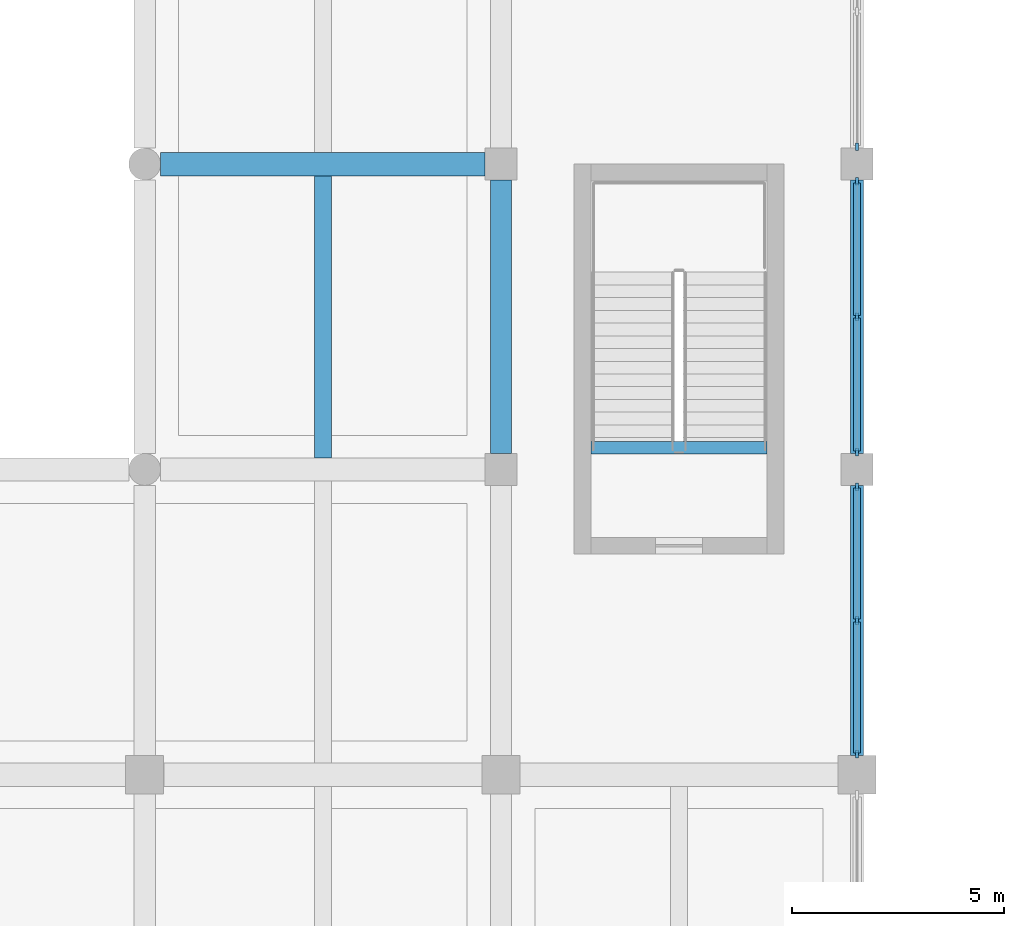
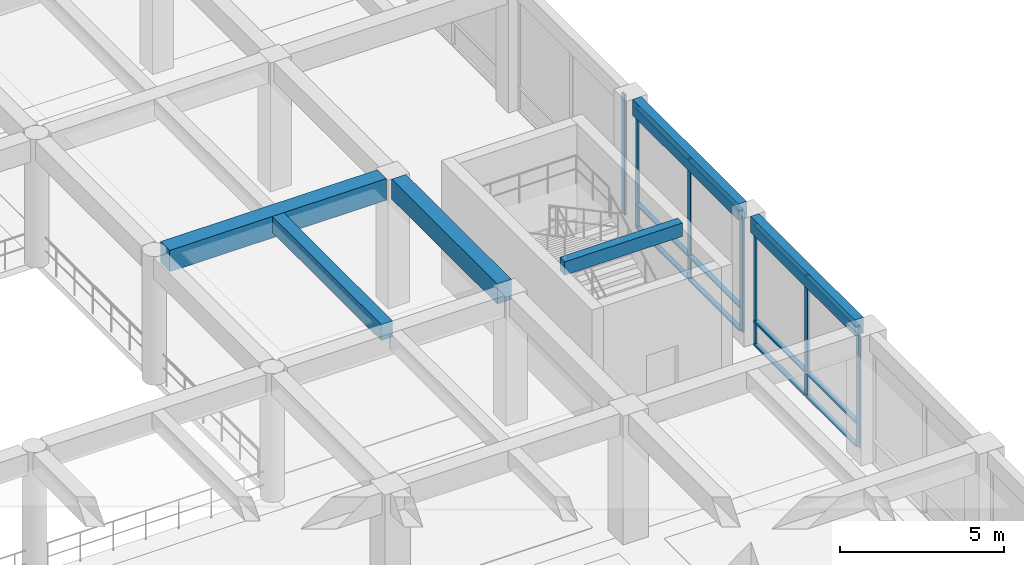
# One storey, part 18 of 52: 19 members, 6 beams, 3 elements without a shape of their own.
"""IFC4 building model written with IfcOpenShell, lengths in metres."""

import ifcopenshell
import ifcopenshell.guid

model = None  # the IFC model being written
_history = None  # IfcOwnerHistory: only IFC2X3 demands one
_inside = {}  # id of a spatial element -> (the spatial element, [elements in it])
_under = {}  # id of a project, library or spatial element -> (it, [spatial elements below it])
_declared = {}  # id of a project -> (the project, [libraries it declares])
_typed = {}  # id of a type object -> (the type object, [elements of that type])
_made_of = {}  # id of a material, layer set ... -> (it, [elements and type objects made of it])


def new_model(schema):
    """Start an empty IFC model of exactly this schema.

    Asked for "IFC4X3", IfcOpenShell would pick the latest addendum, in which some entities
    have other attributes; the version numbers below select the first issue.
    IFC2X3 requires an IfcOwnerHistory on every rooted entity: one is made here for all.
    """
    global model, _history
    if schema == "IFC4X3":
        model = ifcopenshell.file(schema_version=(4, 3, 0, 0))
    else:
        model = ifcopenshell.file(schema=schema)
    _inside.clear()
    _under.clear()
    _declared.clear()
    _typed.clear()
    _made_of.clear()
    _history = None
    if model.schema == "IFC2X3":
        org = make("IfcOrganization", Name="unknown")
        user = make(
            "IfcPersonAndOrganization",
            ThePerson=make("IfcPerson", FamilyName="unknown"),
            TheOrganization=org,
        )
        app = make(
            "IfcApplication",
            ApplicationDeveloper=org,
            Version="unknown",
            ApplicationFullName="unknown",
            ApplicationIdentifier="unknown",
        )
        _history = make(
            "IfcOwnerHistory",
            OwningUser=user,
            OwningApplication=app,
            ChangeAction="ADDED",
            CreationDate=0,
        )
    return model


def make(cls, **values):
    """One entity of the class cls with the attributes given. An attribute that is None is left unset."""
    return model.create_entity(
        cls, **{name: value for name, value in values.items() if value is not None}
    )


def rooted(cls, **values):
    """An entity with a GlobalId (a new one), such as an element, a storey or a relation."""
    return make(cls, GlobalId=ifcopenshell.guid.new(), OwnerHistory=_history, **values)


def si_unit(unit_type, name, prefix=None):
    """IfcSIUnit, for example si_unit("LENGTHUNIT", "METRE", prefix="MILLI")."""
    return make("IfcSIUnit", UnitType=unit_type, Prefix=prefix, Name=name)


def assignment(units):
    """IfcUnitAssignment: the units of a project."""
    return None if units is None else make("IfcUnitAssignment", Units=units)


def point(xyz):
    """IfcCartesianPoint."""
    return None if xyz is None else make("IfcCartesianPoint", Coordinates=xyz)


def direction(xyz):
    """IfcDirection."""
    return None if xyz is None else make("IfcDirection", DirectionRatios=xyz)


def frame(location, z_axis=None, x_axis=None):
    """IfcAxis2Placement3D, a coordinate frame: its origin and axes. An axis left out is left unset."""
    return make(
        "IfcAxis2Placement3D",
        Location=point(location),
        Axis=direction(z_axis),
        RefDirection=direction(x_axis),
    )


def frame_2d(location, x_axis=None):
    """IfcAxis2Placement2D, a coordinate frame in the plane: its origin and x axis."""
    return make(
        "IfcAxis2Placement2D", Location=point(location), RefDirection=direction(x_axis)
    )


def origin():
    """The frame at (0, 0, 0) with its axes left unset."""
    return frame((0.0, 0.0, 0.0))


def origin_2d():
    """The frame at (0, 0) in the plane with its x axis left unset."""
    return frame_2d((0.0, 0.0))


def place(relative_to, where):
    """IfcLocalPlacement: puts the frame where relative to a parent placement (None: the world)."""
    return make(
        "IfcLocalPlacement", PlacementRelTo=relative_to, RelativePlacement=where
    )


def context(
    kind, dimensions, precision=None, world=None, true_north=None, identifier=None
):
    """IfcGeometricRepresentationContext, for example the 3D "Model" context."""
    return make(
        "IfcGeometricRepresentationContext",
        ContextIdentifier=identifier,
        ContextType=kind,
        CoordinateSpaceDimension=dimensions,
        Precision=precision,
        WorldCoordinateSystem=world,
        TrueNorth=true_north,
    )


def subcontext(parent, identifier, kind, view, scale=None):
    """IfcGeometricRepresentationSubContext, for example "Body" below "Model"."""
    return make(
        "IfcGeometricRepresentationSubContext",
        ContextIdentifier=identifier,
        ContextType=kind,
        ParentContext=parent,
        TargetScale=scale,
        TargetView=view,
    )


def project(units=None, contexts=None):
    """IfcProject with its units and contexts."""
    return rooted(
        "IfcProject",
        Name="project",
        RepresentationContexts=contexts,
        UnitsInContext=assignment(units),
    )


def spatial(cls, under=None, at=None, **own):
    """A site, building, storey or space (cls), placed at a placement, below another one or the project."""
    s = rooted(cls, ObjectPlacement=at, **own)
    if under is not None:
        _under.setdefault(under.id(), (under, []))[1].append(s)
    return s


def profile(cls, at=None, kind="AREA", **sizes):
    """A parametric profile (cls). Its sizes go by their IFC names, for example OverallWidth=200.0."""
    return make(cls, ProfileType=kind, Position=at, **sizes)


def rectangle(**sizes):
    """IfcRectangleProfileDef."""
    return profile("IfcRectangleProfileDef", **sizes)


def extrude(swept, where, along, depth):
    """IfcExtrudedAreaSolid: the profile swept, set in the frame where, extruded along a direction by depth."""
    return make(
        "IfcExtrudedAreaSolid",
        SweptArea=swept,
        Position=where,
        ExtrudedDirection=direction(along),
        Depth=depth,
    )


def shape(context_of_items, identifier, shape_type, items):
    """IfcShapeRepresentation: the items that make up one representation, for example the "Body"."""
    return make(
        "IfcShapeRepresentation",
        ContextOfItems=context_of_items,
        RepresentationIdentifier=identifier,
        RepresentationType=shape_type,
        Items=items,
    )


def material(Name=None, Category=None):
    """IfcMaterial."""
    return make("IfcMaterial", Name=Name, Category=Category)


def material_profile(
    of_material, cross_section, Name=None, Category=None, Priority=None
):
    """IfcMaterialProfile: a cross section and its material."""
    return make(
        "IfcMaterialProfile",
        Name=Name,
        Material=of_material,
        Profile=cross_section,
        Priority=Priority,
        Category=Category,
    )


def profile_set(profiles, Name=None, composite=None):
    """IfcMaterialProfileSet."""
    return make(
        "IfcMaterialProfileSet",
        Name=Name,
        MaterialProfiles=profiles,
        CompositeProfile=composite,
    )


def made_of(thing, what):
    """Note that an element or type object is made of a material, layer set ...; save() writes the relation."""
    if what is not None:
        _made_of.setdefault(what.id(), (what, []))[1].append(thing)
    return thing


def type_object(cls, material=None, **own):
    """A type object (cls), such as IfcWallType, which elements share."""
    return made_of(rooted(cls, **own), material)


def element(
    cls,
    number,
    at=None,
    inside=None,
    cuts=None,
    type_object=None,
    material=None,
    context=None,
    identifier="Body",
    shape_type=None,
    held_by="IfcProductDefinitionShape",
    body=None,
    shapes=None,
    **own,
):
    """One element of the class cls, such as IfcWall. Its Tag is "e" and its number.

    at: its placement. inside: the storey or other place that contains it. cuts: it is an
    opening in that element (IfcRelVoidsElement). A single representation is given by context,
    identifier, shape_type and body (its items); several are given by shapes. held_by: the class
    of the entity that holds the representations. save() writes the other relations.
    """
    e = rooted(cls, Tag="e%d" % number, ObjectPlacement=at, **own)
    if body is not None:
        shapes = [shape(context, identifier, shape_type, body)]
    if shapes is not None:
        e.Representation = make(held_by, Representations=shapes)
    if inside is not None:
        _inside.setdefault(inside.id(), (inside, []))[1].append(e)
    if cuts is not None:
        rooted(
            "IfcRelVoidsElement", RelatingBuildingElement=cuts, RelatedOpeningElement=e
        )
    if type_object is not None:
        _typed.setdefault(type_object.id(), (type_object, []))[1].append(e)
    return made_of(e, material)


def aggregate(whole, parts):
    """IfcRelAggregates: a whole, such as a stair, and the parts it consists of."""
    return rooted("IfcRelAggregates", RelatingObject=whole, RelatedObjects=parts)


def save(model, path):
    """Write the relations noted so far, then the file.

    IfcRelAggregates (storeys below a building ...), IfcRelContainedInSpatialStructure (elements
    in a storey), IfcRelDefinesByType, IfcRelAssociatesMaterial and IfcRelDeclares: one each for
    every whole, place, type object, material and project.
    """
    for whole, parts in _under.values():
        aggregate(whole, parts)
    for where, things in _inside.values():
        rooted(
            "IfcRelContainedInSpatialStructure",
            RelatedElements=things,
            RelatingStructure=where,
        )
    for kind, things in _typed.values():
        rooted("IfcRelDefinesByType", RelatedObjects=things, RelatingType=kind)
    for what, things in _made_of.values():
        rooted("IfcRelAssociatesMaterial", RelatedObjects=things, RelatingMaterial=what)
    for by, libraries in _declared.values():
        rooted("IfcRelDeclares", RelatingContext=by, RelatedDefinitions=libraries)
    model.write(path)


model = new_model("IFC4")

# Units and contexts
model_context = context("Model", 3, precision=1e-05, world=origin(), true_north=direction((0.0, 1.0)))
body_context = subcontext(model_context, "Body", "Model", "MODEL_VIEW")
ifc_project = project(units=[si_unit("LENGTHUNIT", "METRE"), si_unit("AREAUNIT", "SQUARE_METRE"), si_unit("VOLUMEUNIT", "CUBIC_METRE"), si_unit("PLANEANGLEUNIT", "RADIAN"), si_unit("MASSUNIT", "GRAM", prefix="KILO")], contexts=[model_context])

# Site, building, storey
site_placement = place(None, origin())
site = spatial("IfcSite", under=ifc_project, at=site_placement, CompositionType="ELEMENT")
building_placement = place(site_placement, origin())
building = spatial("IfcBuilding", under=site, at=building_placement, Name="Kenerak Square Central Library", CompositionType="ELEMENT")
storey_placement = place(building_placement, frame((0.0, 0.0, 4.800048828125)))
storey = spatial("IfcBuildingStorey", under=building, at=storey_placement, Name="L01", CompositionType="ELEMENT", Elevation=4.800048828125)

# Beams
ifc_material_1 = material(Name="Concrete C40/50", Category="concrete")
ifc_material_profile_1 = material_profile(ifc_material_1, rectangle(XDim=0.300048828125, YDim=0.60009765625, at=origin_2d()), Name="RC 300x600")
ifc_profile_set_1 = profile_set([ifc_material_profile_1], Name="Concrete C40/50")
beam_type_1 = type_object("IfcBeamType", Name="Courtyard Spandrel Beam SP-02 RC 300x600 C40/50", PredefinedType="SPANDREL", material=ifc_profile_set_1)
beam_1_placement = place(storey_placement, frame((117.199951171875, 53.25, 4.5), z_axis=(0.0, 1.0, 0.0), x_axis=(-1.0, 0.0, 0.0)))
element("IfcBeam", 1, at=beam_1_placement, inside=storey, type_object=beam_type_1, Name="Beam SP-02 L01 1074", PredefinedType="SPANDREL", context=body_context, shape_type="SweptSolid", body=[
    extrude(rectangle(XDim=0.300048828125, YDim=0.60009765625, at=origin_2d()), origin(), (0.0, 0.0, 1.0), 6.375),
])
beam_2_placement = place(storey_placement, frame((117.199951171875, 60.375, 4.5), z_axis=(0.0, 1.0, 0.0), x_axis=(-1.0, 0.0, 0.0)))
element("IfcBeam", 2, at=beam_2_placement, inside=storey, type_object=beam_type_1, Name="Beam SP-02 L01 1075", PredefinedType="SPANDREL", context=body_context, shape_type="SweptSolid", body=[
    extrude(rectangle(XDim=0.300048828125, YDim=0.60009765625, at=origin_2d()), origin(), (0.0, 0.0, 1.0), 6.449951171875),
])

# Curtain wall, member
ifc_material_2 = material(Name="Anodised aluminium and solar-control low-E glazing", Category="aluminium")
curtain_wall_type_1 = type_object("IfcCurtainWallType", Name="Curtain Wall CW-V4-64x45 6450x4500", PredefinedType="USERDEFINED", material=ifc_material_2)
curtain_wall_1_placement = place(storey_placement, origin())
curtain_wall_1 = element("IfcCurtainWall", 3, at=curtain_wall_1_placement, inside=storey, type_object=curtain_wall_type_1, Name="Curtain Wall CW-V4-64x45 L01 0030", ObjectType="CURTAIN WALL", PredefinedType="USERDEFINED")
ifc_material_3 = material(Name="Anodised aluminium 6063-T6", Category="aluminium")
ifc_material_profile_2 = material_profile(ifc_material_3, rectangle(XDim=0.06494140625, YDim=0.179931640625, at=origin_2d()), Name="AL MULLION 65x180")
ifc_profile_set_2 = profile_set([ifc_material_profile_2], Name="Anodised aluminium 6063-T6")
member_type_1 = type_object("IfcMemberType", Name="Curtain Mullion CM-01 65x180", PredefinedType="MULLION", material=ifc_profile_set_2)
member_1_placement = place(storey_placement, frame((117.199951171875, 67.607421875, 0.0), z_axis=(0.0, 0.0, 1.0), x_axis=(1.0, 0.0, 0.0)))
member_1 = element("IfcMember", 4, at=member_1_placement, type_object=member_type_1, Name="CW-V4-64x45 Mullion 3", PredefinedType="MULLION", context=body_context, shape_type="SweptSolid", body=[
    extrude(rectangle(XDim=0.06494140625, YDim=0.179931640625, at=origin_2d()), origin(), (0.0, 0.0, 1.0), 4.5),
])
aggregate(curtain_wall_1, [member_1])

# Curtain wall, members
curtain_wall_2_placement = place(storey_placement, origin())
curtain_wall_2 = element("IfcCurtainWall", 5, at=curtain_wall_2_placement, inside=storey, type_object=curtain_wall_type_1, Name="Curtain Wall CW-V4-64x45 L01 0031", ObjectType="CURTAIN WALL", PredefinedType="USERDEFINED")
member_2_placement = place(storey_placement, frame((117.199951171875, 66.79248046875, 0.0), z_axis=(0.0, 0.0, 1.0), x_axis=(1.0, 0.0, 0.0)))
member_2 = element("IfcMember", 6, at=member_2_placement, type_object=member_type_1, Name="CW-V4-64x45 Mullion 1", PredefinedType="MULLION", context=body_context, shape_type="SweptSolid", body=[
    extrude(rectangle(XDim=0.06494140625, YDim=0.179931640625, at=origin_2d()), origin(), (0.0, 0.0, 1.0), 4.5),
])
member_3_placement = place(storey_placement, frame((117.199951171875, 63.60009765625, 0.0), z_axis=(0.0, 0.0, 1.0), x_axis=(1.0, 0.0, 0.0)))
member_3 = element("IfcMember", 7, at=member_3_placement, type_object=member_type_1, Name="CW-V4-64x45 Mullion 2", PredefinedType="MULLION", context=body_context, shape_type="SweptSolid", body=[
    extrude(rectangle(XDim=0.06494140625, YDim=0.179931640625, at=origin_2d()), origin(), (0.0, 0.0, 1.0), 4.5),
])
member_4_placement = place(storey_placement, frame((117.199951171875, 60.407470703125, 0.0), z_axis=(0.0, 0.0, 1.0), x_axis=(1.0, 0.0, 0.0)))
member_4 = element("IfcMember", 8, at=member_4_placement, type_object=member_type_1, Name="CW-V4-64x45 Mullion 3", PredefinedType="MULLION", context=body_context, shape_type="SweptSolid", body=[
    extrude(rectangle(XDim=0.06494140625, YDim=0.179931640625, at=origin_2d()), origin(), (0.0, 0.0, 1.0), 4.5),
])

curtain_wall_type_2 = type_object("IfcCurtainWallType", Name="Curtain Wall CW-V4-63x45 6375x4500", PredefinedType="USERDEFINED", material=ifc_material_2)
curtain_wall_3_placement = place(storey_placement, origin())
curtain_wall_3 = element("IfcCurtainWall", 9, at=curtain_wall_3_placement, inside=storey, type_object=curtain_wall_type_2, Name="Curtain Wall CW-V4-63x45 L01 0032", ObjectType="CURTAIN WALL", PredefinedType="USERDEFINED")
member_5_placement = place(storey_placement, frame((117.199951171875, 59.592529296875, 0.0), z_axis=(0.0, 0.0, 1.0), x_axis=(1.0, 0.0, 0.0)))
member_5 = element("IfcMember", 10, at=member_5_placement, type_object=member_type_1, Name="CW-V4-63x45 Mullion 1", PredefinedType="MULLION", context=body_context, shape_type="SweptSolid", body=[
    extrude(rectangle(XDim=0.06494140625, YDim=0.179931640625, at=origin_2d()), origin(), (0.0, 0.0, 1.0), 4.5),
])
member_6_placement = place(storey_placement, frame((117.199951171875, 56.4375, 0.0), z_axis=(0.0, 0.0, 1.0), x_axis=(1.0, 0.0, 0.0)))
member_6 = element("IfcMember", 11, at=member_6_placement, type_object=member_type_1, Name="CW-V4-63x45 Mullion 2", PredefinedType="MULLION", context=body_context, shape_type="SweptSolid", body=[
    extrude(rectangle(XDim=0.06494140625, YDim=0.179931640625, at=origin_2d()), origin(), (0.0, 0.0, 1.0), 4.5),
])
member_7_placement = place(storey_placement, frame((117.199951171875, 53.282470703125, 0.0), z_axis=(0.0, 0.0, 1.0), x_axis=(1.0, 0.0, 0.0)))
member_7 = element("IfcMember", 12, at=member_7_placement, type_object=member_type_1, Name="CW-V4-63x45 Mullion 3", PredefinedType="MULLION", context=body_context, shape_type="SweptSolid", body=[
    extrude(rectangle(XDim=0.06494140625, YDim=0.179931640625, at=origin_2d()), origin(), (0.0, 0.0, 1.0), 4.5),
])

# Member
ifc_material_profile_3 = material_profile(ifc_material_3, rectangle(XDim=0.159912109375, YDim=0.06494140625, at=origin_2d()), Name="AL TRANSOM 160x65")
ifc_profile_set_3 = profile_set([ifc_material_profile_3], Name="Anodised aluminium 6063-T6")
member_type_2 = type_object("IfcMemberType", Name="Curtain Transom CT-11 160x65", PredefinedType="USERDEFINED", material=ifc_profile_set_3)
member_8_placement = place(storey_placement, frame((117.199951171875, 66.760009765625, 0.032470703125), z_axis=(0.0, -1.0, 0.0), x_axis=(1.0, 0.0, 0.0)))
member_8 = element("IfcMember", 13, at=member_8_placement, type_object=member_type_2, Name="CW-V4-64x45 Transom 1.1", ObjectType="TRANSOM", PredefinedType="USERDEFINED", context=body_context, shape_type="SweptSolid", body=[
    extrude(rectangle(XDim=0.159912109375, YDim=0.06494140625, at=origin_2d()), origin(), (0.0, 0.0, 1.0), 3.12744140625),
])

member_9_placement = place(storey_placement, frame((117.199951171875, 66.760009765625, 0.89990234375), z_axis=(0.0, -1.0, 0.0), x_axis=(1.0, 0.0, 0.0)))
member_9 = element("IfcMember", 14, at=member_9_placement, type_object=member_type_2, Name="CW-V4-64x45 Transom 1.2", ObjectType="TRANSOM", PredefinedType="USERDEFINED", context=body_context, shape_type="SweptSolid", body=[
    extrude(rectangle(XDim=0.159912109375, YDim=0.06494140625, at=origin_2d()), origin(), (0.0, 0.0, 1.0), 3.12744140625),
])

member_10_placement = place(storey_placement, frame((117.199951171875, 66.760009765625, 4.467529296875), z_axis=(0.0, -1.0, 0.0), x_axis=(1.0, 0.0, 0.0)))
member_10 = element("IfcMember", 15, at=member_10_placement, type_object=member_type_2, Name="CW-V4-64x45 Transom 1.3", ObjectType="TRANSOM", PredefinedType="USERDEFINED", context=body_context, shape_type="SweptSolid", body=[
    extrude(rectangle(XDim=0.159912109375, YDim=0.06494140625, at=origin_2d()), origin(), (0.0, 0.0, 1.0), 3.12744140625),
])

member_11_placement = place(storey_placement, frame((117.199951171875, 63.5673828125, 0.032470703125), z_axis=(0.0, -1.0, 0.0), x_axis=(1.0, 0.0, 0.0)))
member_11 = element("IfcMember", 16, at=member_11_placement, type_object=member_type_2, Name="CW-V4-64x45 Transom 2.1", ObjectType="TRANSOM", PredefinedType="USERDEFINED", context=body_context, shape_type="SweptSolid", body=[
    extrude(rectangle(XDim=0.159912109375, YDim=0.06494140625, at=origin_2d()), origin(), (0.0, 0.0, 1.0), 3.12744140625),
])

member_12_placement = place(storey_placement, frame((117.199951171875, 63.5673828125, 0.89990234375), z_axis=(0.0, -1.0, 0.0), x_axis=(1.0, 0.0, 0.0)))
member_12 = element("IfcMember", 17, at=member_12_placement, type_object=member_type_2, Name="CW-V4-64x45 Transom 2.2", ObjectType="TRANSOM", PredefinedType="USERDEFINED", context=body_context, shape_type="SweptSolid", body=[
    extrude(rectangle(XDim=0.159912109375, YDim=0.06494140625, at=origin_2d()), origin(), (0.0, 0.0, 1.0), 3.12744140625),
])

member_13_placement = place(storey_placement, frame((117.199951171875, 63.5673828125, 4.467529296875), z_axis=(0.0, -1.0, 0.0), x_axis=(1.0, 0.0, 0.0)))
member_13 = element("IfcMember", 18, at=member_13_placement, type_object=member_type_2, Name="CW-V4-64x45 Transom 2.3", ObjectType="TRANSOM", PredefinedType="USERDEFINED", context=body_context, shape_type="SweptSolid", body=[
    extrude(rectangle(XDim=0.159912109375, YDim=0.06494140625, at=origin_2d()), origin(), (0.0, 0.0, 1.0), 3.12744140625),
])

aggregate(curtain_wall_2, [member_2, member_3, member_4, member_8, member_9, member_10, member_11, member_12, member_13])

member_14_placement = place(storey_placement, frame((117.199951171875, 59.56005859375, 0.032470703125), z_axis=(0.0, -1.0, 0.0), x_axis=(1.0, 0.0, 0.0)))
member_14 = element("IfcMember", 19, at=member_14_placement, type_object=member_type_2, Name="CW-V4-63x45 Transom 1.1", ObjectType="TRANSOM", PredefinedType="USERDEFINED", context=body_context, shape_type="SweptSolid", body=[
    extrude(rectangle(XDim=0.159912109375, YDim=0.06494140625, at=origin_2d()), origin(), (0.0, 0.0, 1.0), 3.090087890625),
])

member_15_placement = place(storey_placement, frame((117.199951171875, 59.56005859375, 0.89990234375), z_axis=(0.0, -1.0, 0.0), x_axis=(1.0, 0.0, 0.0)))
member_15 = element("IfcMember", 20, at=member_15_placement, type_object=member_type_2, Name="CW-V4-63x45 Transom 1.2", ObjectType="TRANSOM", PredefinedType="USERDEFINED", context=body_context, shape_type="SweptSolid", body=[
    extrude(rectangle(XDim=0.159912109375, YDim=0.06494140625, at=origin_2d()), origin(), (0.0, 0.0, 1.0), 3.090087890625),
])

member_16_placement = place(storey_placement, frame((117.199951171875, 59.56005859375, 4.467529296875), z_axis=(0.0, -1.0, 0.0), x_axis=(1.0, 0.0, 0.0)))
member_16 = element("IfcMember", 21, at=member_16_placement, type_object=member_type_2, Name="CW-V4-63x45 Transom 1.3", ObjectType="TRANSOM", PredefinedType="USERDEFINED", context=body_context, shape_type="SweptSolid", body=[
    extrude(rectangle(XDim=0.159912109375, YDim=0.06494140625, at=origin_2d()), origin(), (0.0, 0.0, 1.0), 3.090087890625),
])

member_17_placement = place(storey_placement, frame((117.199951171875, 56.405029296875, 0.032470703125), z_axis=(0.0, -1.0, 0.0), x_axis=(1.0, 0.0, 0.0)))
member_17 = element("IfcMember", 22, at=member_17_placement, type_object=member_type_2, Name="CW-V4-63x45 Transom 2.1", ObjectType="TRANSOM", PredefinedType="USERDEFINED", context=body_context, shape_type="SweptSolid", body=[
    extrude(rectangle(XDim=0.159912109375, YDim=0.06494140625, at=origin_2d()), origin(), (0.0, 0.0, 1.0), 3.090087890625),
])

member_18_placement = place(storey_placement, frame((117.199951171875, 56.405029296875, 0.89990234375), z_axis=(0.0, -1.0, 0.0), x_axis=(1.0, 0.0, 0.0)))
member_18 = element("IfcMember", 23, at=member_18_placement, type_object=member_type_2, Name="CW-V4-63x45 Transom 2.2", ObjectType="TRANSOM", PredefinedType="USERDEFINED", context=body_context, shape_type="SweptSolid", body=[
    extrude(rectangle(XDim=0.159912109375, YDim=0.06494140625, at=origin_2d()), origin(), (0.0, 0.0, 1.0), 3.090087890625),
])

member_19_placement = place(storey_placement, frame((117.199951171875, 56.405029296875, 4.467529296875), z_axis=(0.0, -1.0, 0.0), x_axis=(1.0, 0.0, 0.0)))
member_19 = element("IfcMember", 24, at=member_19_placement, type_object=member_type_2, Name="CW-V4-63x45 Transom 2.3", ObjectType="TRANSOM", PredefinedType="USERDEFINED", context=body_context, shape_type="SweptSolid", body=[
    extrude(rectangle(XDim=0.159912109375, YDim=0.06494140625, at=origin_2d()), origin(), (0.0, 0.0, 1.0), 3.090087890625),
])

aggregate(curtain_wall_3, [member_5, member_6, member_7, member_14, member_15, member_16, member_17, member_18, member_19])

# Beams
ifc_material_profile_4 = material_profile(ifc_material_1, rectangle(XDim=0.300048828125, YDim=0.5, at=origin_2d()), Name="RC 300x500")
ifc_profile_set_4 = profile_set([ifc_material_profile_4], Name="Concrete C40/50")
beam_type_2 = type_object("IfcBeamType", Name="Landing Support Beam B-08 RC 300x500 C40/50", PredefinedType="BEAM", material=ifc_profile_set_4)
beam_3_placement = place(storey_placement, frame((110.919921875, 60.510009765625, 4.550048828125), z_axis=(1.0, 0.0, 0.0), x_axis=(0.0, 1.0, 0.0)))
element("IfcBeam", 25, at=beam_3_placement, inside=storey, type_object=beam_type_2, Name="Stair Threshold Beam B-08 ST-09 L02", PredefinedType="BEAM", context=body_context, shape_type="SweptSolid", body=[
    extrude(rectangle(XDim=0.300048828125, YDim=0.5, at=origin_2d()), origin(), (0.0, 0.0, 1.0), 4.16015625),
])
ifc_material_profile_5 = material_profile(ifc_material_1, rectangle(XDim=0.550048828125, YDim=0.800048828125, at=origin_2d()), Name="RC 550x800")
ifc_profile_set_5 = profile_set([ifc_material_profile_5], Name="Concrete C40/50")
beam_type_3 = type_object("IfcBeamType", Name="Primary Reading Beam B-04 RC 550x800 C40/50", PredefinedType="BEAM", material=ifc_profile_set_5)
beam_4_placement = place(storey_placement, frame((100.77490234375, 67.199951171875, 4.39990234375), z_axis=(1.0, 0.0, 0.0), x_axis=(0.0, 1.0, 0.0)))
element("IfcBeam", 26, at=beam_4_placement, inside=storey, type_object=beam_type_3, Name="Beam B-04 L01 0927", PredefinedType="BEAM", context=body_context, shape_type="SweptSolid", body=[
    extrude(rectangle(XDim=0.550048828125, YDim=0.800048828125, at=origin_2d()), origin(), (0.0, 0.0, 1.0), 7.650146484375),
])
ifc_material_profile_6 = material_profile(ifc_material_1, rectangle(XDim=0.39990234375, YDim=0.60009765625, at=origin_2d()), Name="RC 400x600")
ifc_profile_set_6 = profile_set([ifc_material_profile_6], Name="Concrete C40/50")
beam_type_4 = type_object("IfcBeamType", Name="Secondary Floor Joist J-01 RC 400x600 C40/50", PredefinedType="JOIST", material=ifc_profile_set_6)
beam_5_placement = place(storey_placement, frame((104.60009765625, 60.27490234375, 4.5), z_axis=(0.0, 1.0, 0.0), x_axis=(-1.0, 0.0, 0.0)))
element("IfcBeam", 27, at=beam_5_placement, inside=storey, type_object=beam_type_4, Name="Joist J-01 L01 1160", PredefinedType="JOIST", context=body_context, shape_type="SweptSolid", body=[
    extrude(rectangle(XDim=0.39990234375, YDim=0.60009765625, at=origin_2d()), origin(), (0.0, 0.0, 1.0), 6.650146484375),
])
ifc_material_profile_7 = material_profile(ifc_material_1, rectangle(XDim=0.5, YDim=0.75, at=origin_2d()), Name="RC 500x750")
ifc_profile_set_7 = profile_set([ifc_material_profile_7], Name="Concrete C40/50")
beam_type_5 = type_object("IfcBeamType", Name="Transverse Frame Beam B-05 RC 500x750 C40/50", PredefinedType="BEAM", material=ifc_profile_set_7)
beam_6_placement = place(storey_placement, frame((108.800048828125, 60.375, 4.425048828125), z_axis=(0.0, 1.0, 0.0), x_axis=(-1.0, 0.0, 0.0)))
element("IfcBeam", 28, at=beam_6_placement, inside=storey, type_object=beam_type_5, Name="Beam B-05 L01 1064", PredefinedType="BEAM", context=body_context, shape_type="SweptSolid", body=[
    extrude(rectangle(XDim=0.5, YDim=0.75, at=origin_2d()), origin(), (0.0, 0.0, 1.0), 6.449951171875),
])

save(model, "model.ifc")
